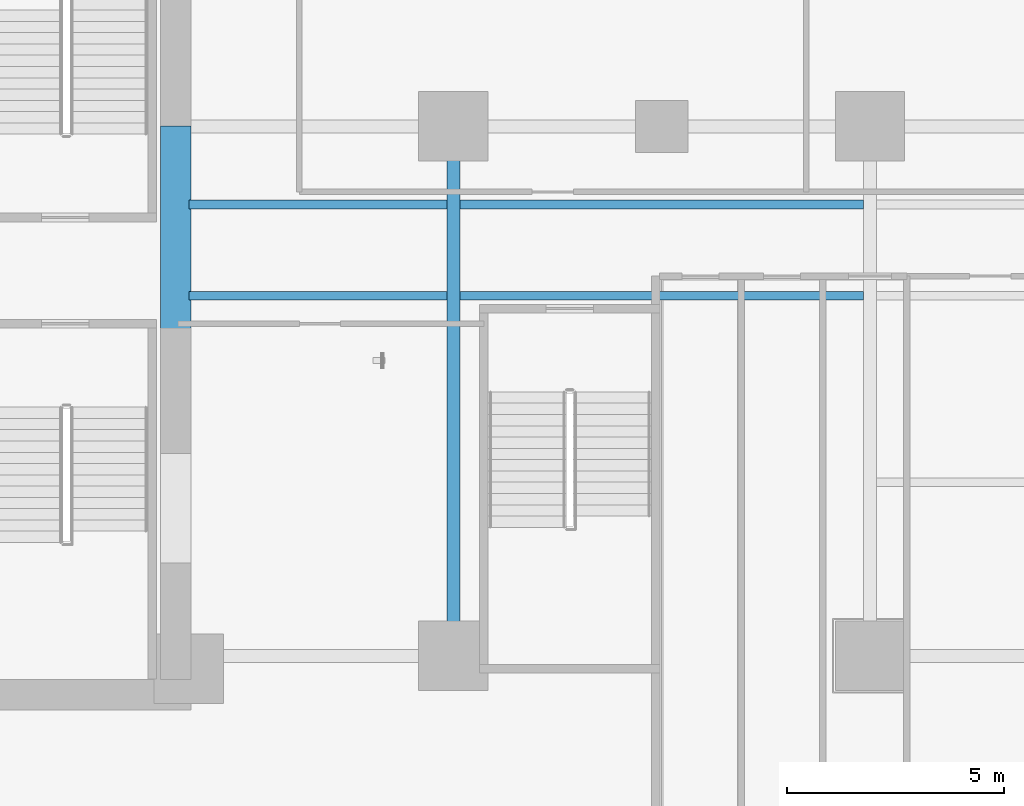
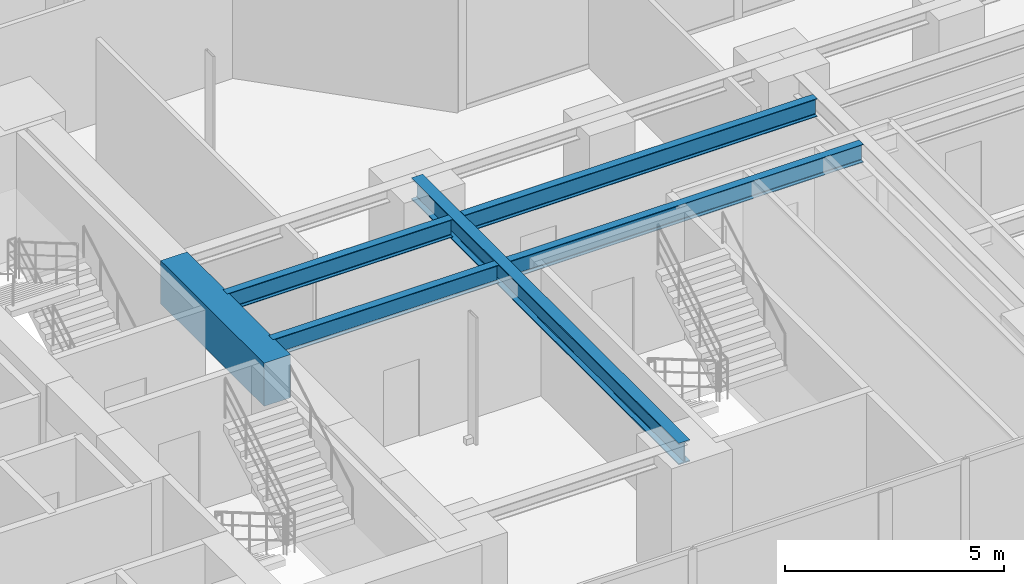
# One storey, part 5 of 28: 6 beams.
"""IFC4 building model written with IfcOpenShell, lengths in metres."""

from ifc_helpers import new_model, si_unit, direction, frame, origin, origin_2d, place, context, subcontext, project, spatial, rectangle, i_section, extrude, material, material_profile, profile_set, type_object, element, save


model = new_model("IFC4")

# Units and contexts
model_context = context("Model", 3, precision=1e-05, world=origin(), true_north=direction((0.0, 1.0)))
body_context = subcontext(model_context, "Body", "Model", "MODEL_VIEW")
ifc_project = project(units=[si_unit("LENGTHUNIT", "METRE"), si_unit("AREAUNIT", "SQUARE_METRE"), si_unit("VOLUMEUNIT", "CUBIC_METRE"), si_unit("PLANEANGLEUNIT", "RADIAN"), si_unit("MASSUNIT", "GRAM", prefix="KILO")], contexts=[model_context])

# Site, building, storey
site_placement = place(None, origin())
site = spatial("IfcSite", under=ifc_project, at=site_placement, CompositionType="ELEMENT")
building_placement = place(site_placement, origin())
building = spatial("IfcBuilding", under=site, at=building_placement, Name="Kolvaren Waterfront Exchange", CompositionType="ELEMENT")
storey_placement = place(building_placement, frame((0.0, 0.0, 56.199951171875)))
storey = spatial("IfcBuildingStorey", under=building, at=storey_placement, Name="L14", CompositionType="ELEMENT", Elevation=56.199951171875)

# Beams
ifc_material_1 = material(Name="Steel S355", Category="steel")
ifc_material_profile_1 = material_profile(ifc_material_1, i_section(OverallWidth=0.300048828125, OverallDepth=0.60009765625, WebThickness=0.015380859375, FlangeThickness=0.030029296875, FilletRadius=0.027099609375, at=origin_2d()), Name="HEB600")
ifc_profile_set_1 = profile_set([ifc_material_profile_1], Name="Steel S355")
beam_type_1 = type_object("IfcBeamType", Name="STR-BM-HEB600", PredefinedType="BEAM", material=ifc_profile_set_1)
beam_1_placement = place(storey_placement, frame((27.199951171875, 5.199951171875, 3.239990234375), z_axis=(0.0, 1.0, 0.0), x_axis=(-1.0, 0.0, 0.0)))
element("IfcBeam", 1, at=beam_1_placement, inside=storey, type_object=beam_type_1, Name="L14 east-arm transverse girder X27", PredefinedType="BEAM", context=body_context, shape_type="SweptSolid", body=[
    extrude(i_section(OverallWidth=0.300048828125, OverallDepth=0.60009765625, WebThickness=0.015380859375, FlangeThickness=0.030029296875, FilletRadius=0.027099609375, at=origin_2d()), origin(), (0.0, 0.0, 1.0), 12.199951171875),
])
ifc_material_profile_2 = material_profile(ifc_material_1, i_section(OverallWidth=0.199951171875, OverallDepth=0.5, WebThickness=0.01025390625, FlangeThickness=0.01611328125, FilletRadius=0.02099609375, at=origin_2d()), Name="IPE500")
ifc_profile_set_2 = profile_set([ifc_material_profile_2], Name="Steel S355")
beam_type_2 = type_object("IfcBeamType", Name="STR-BM-IPE500", PredefinedType="JOIST", material=ifc_profile_set_2)
for number, where, z_axis, x_axis, name in (
    (2, (21.10009765625, 13.5, 3.2900390625), (1.0, 0.0, 0.0), (0.0, 1.0, 0.0), "L14 east-arm composite joist 1A"),
    (3, (21.10009765625, 15.60009765625, 3.2900390625), (1.0, 0.0, 0.0), (0.0, 1.0, 0.0), "L14 east-arm composite joist 1C"),
):
    element("IfcBeam", number, at=place(storey_placement, frame(where, z_axis=z_axis, x_axis=x_axis)), inside=storey, type_object=beam_type_2, Name=name, PredefinedType="JOIST", context=body_context, shape_type="SweptSolid", body=[
        extrude(i_section(OverallWidth=0.199951171875, OverallDepth=0.5, WebThickness=0.01025390625, FlangeThickness=0.01611328125, FilletRadius=0.02099609375, at=origin_2d()), origin(), (0.0, 0.0, 1.0), 5.947998046875),
    ])
for number, where, z_axis, x_axis, name in (
    (4, (27.35205078125, 13.5, 3.2900390625), (1.0, 0.0, 0.0), (0.0, 1.0, 0.0), "L14 east-arm composite joist 2A"),
    (5, (27.35205078125, 15.60009765625, 3.2900390625), (1.0, 0.0, 0.0), (0.0, 1.0, 0.0), "L14 east-arm composite joist 2C"),
):
    element("IfcBeam", number, at=place(storey_placement, frame(where, z_axis=z_axis, x_axis=x_axis)), inside=storey, type_object=beam_type_2, Name=name, PredefinedType="JOIST", context=body_context, shape_type="SweptSolid", body=[
        extrude(i_section(OverallWidth=0.199951171875, OverallDepth=0.5, WebThickness=0.01025390625, FlangeThickness=0.01611328125, FilletRadius=0.02099609375, at=origin_2d()), origin(), (0.0, 0.0, 1.0), 9.2958984375),
    ])
ifc_material_2 = material(Name="Concrete C70/85", Category="concrete")
ifc_material_profile_3 = material_profile(ifc_material_2, rectangle(XDim=0.699951171875, YDim=1.199951171875, at=origin_2d()), Name="RC-CB-1200x700")
ifc_profile_set_3 = profile_set([ifc_material_profile_3], Name="Concrete C70/85")
beam_type_3 = type_object("IfcBeamType", Name="STR-CB-1200", PredefinedType="SPANDREL", material=ifc_profile_set_3)
beam_2_placement = place(storey_placement, frame((20.800048828125, 12.68994140625, 2.93994140625), z_axis=(0.0, 1.0, 0.0), x_axis=(-1.0, 0.0, 0.0)))
element("IfcBeam", 6, at=beam_2_placement, inside=storey, type_object=beam_type_3, Name="L14 core coupling beam 2", PredefinedType="SPANDREL", context=body_context, shape_type="SweptSolid", body=[
    extrude(rectangle(XDim=0.699951171875, YDim=1.199951171875, at=origin_2d()), origin(), (0.0, 0.0, 1.0), 4.719970703125),
])

save(model, "model.ifc")
